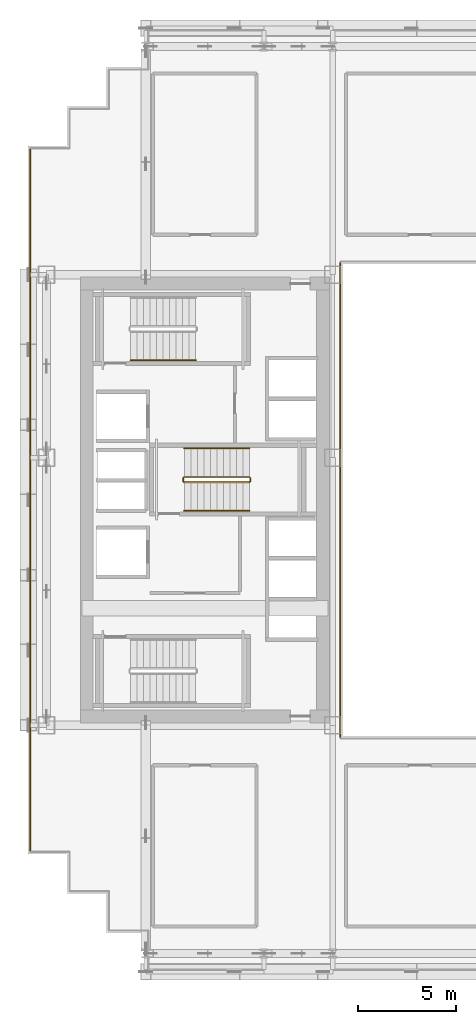
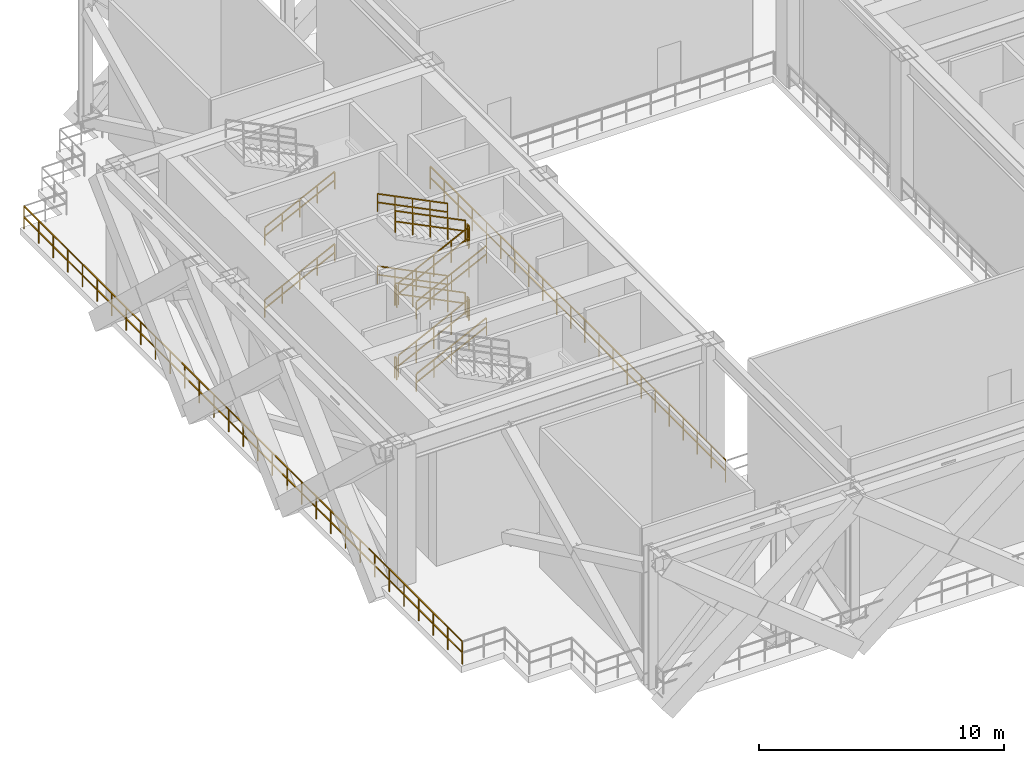
# One storey, part 11 of 14: 16 railings.
"""IFC4 building model written with IfcOpenShell, lengths in metres."""

from ifc_helpers import new_model, si_unit, direction, frame, origin, origin_2d, place, context, subcontext, project, spatial, rectangle, extrude, material, type_object, element, save


model = new_model("IFC4")

# Units and contexts
model_context = context("Model", 3, precision=1e-05, world=origin(), true_north=direction((0.0, 1.0)))
body_context = subcontext(model_context, "Body", "Model", "MODEL_VIEW")
ifc_project = project(units=[si_unit("LENGTHUNIT", "METRE"), si_unit("AREAUNIT", "SQUARE_METRE"), si_unit("VOLUMEUNIT", "CUBIC_METRE"), si_unit("PLANEANGLEUNIT", "RADIAN"), si_unit("MASSUNIT", "GRAM", prefix="KILO")], contexts=[model_context])

# Site, building, storey
site_placement = place(None, origin())
site = spatial("IfcSite", under=ifc_project, at=site_placement, CompositionType="ELEMENT")
building_placement = place(site_placement, origin())
building = spatial("IfcBuilding", under=site, at=building_placement, Name="Ocotamira Hotel", CompositionType="ELEMENT")
storey_placement = place(building_placement, frame((0.0, 0.0, 85.199951171875)))
storey = spatial("IfcBuildingStorey", under=building, at=storey_placement, Name="L21", CompositionType="ELEMENT", Elevation=85.199951171875)

# Railings
ifc_material_1 = material(Name="Painted steel stair guardrail", Category="steel")
railing_type_1 = type_object("IfcRailingType", Name="RL-EDGE-1150", PredefinedType="GUARDRAIL", material=ifc_material_1)
railing_1_placement = place(storey_placement, frame((23.8798828125, 38.0400390625, 0.0)))
element("IfcRailing", 1, at=railing_1_placement, inside=storey, type_object=railing_type_1, Name="L21 Central Atrium Edge Guardrail W", PredefinedType="GUARDRAIL", context=body_context, shape_type="SweptSolid", body=[
    extrude(rectangle(XDim=0.048095703125, YDim=0.048095703125, at=origin_2d()), frame((0.0, 0.0, 1.1259765625), z_axis=(0.0, -1.0, 0.0), x_axis=(1.0, 0.0, 0.0)), (0.0, 0.0, 1.0), 24.080078125),
    extrude(rectangle(XDim=0.048095703125, YDim=0.048095703125, at=origin_2d()), frame((0.0, 0.0, 0.574951171875), z_axis=(0.0, -1.0, 0.0), x_axis=(1.0, 0.0, 0.0)), (0.0, 0.0, 1.0), 24.080078125),
    extrude(rectangle(XDim=0.0419921875, YDim=0.0419921875, at=origin_2d()), origin(), (0.0, 0.0, 1.0), 1.101806640625),
    extrude(rectangle(XDim=0.0419921875, YDim=0.0419921875, at=origin_2d()), frame((0.0, -1.146728515625, 0.0)), (0.0, 0.0, 1.0), 1.101806640625),
    extrude(rectangle(XDim=0.0419921875, YDim=0.0419921875, at=origin_2d()), frame((0.0, -2.29345703125, 0.0)), (0.0, 0.0, 1.0), 1.101806640625),
    extrude(rectangle(XDim=0.0419921875, YDim=0.0419921875, at=origin_2d()), frame((0.0, -3.43994140625, 0.0)), (0.0, 0.0, 1.0), 1.101806640625),
    extrude(rectangle(XDim=0.0419921875, YDim=0.0419921875, at=origin_2d()), frame((0.0, -4.586669921875, 0.0)), (0.0, 0.0, 1.0), 1.101806640625),
    extrude(rectangle(XDim=0.0419921875, YDim=0.0419921875, at=origin_2d()), frame((0.0, -5.7333984375, 0.0)), (0.0, 0.0, 1.0), 1.101806640625),
    extrude(rectangle(XDim=0.0419921875, YDim=0.0419921875, at=origin_2d()), frame((0.0, -6.880126953125, 0.0)), (0.0, 0.0, 1.0), 1.101806640625),
    extrude(rectangle(XDim=0.0419921875, YDim=0.0419921875, at=origin_2d()), frame((0.0, -8.026611328125, 0.0)), (0.0, 0.0, 1.0), 1.101806640625),
    extrude(rectangle(XDim=0.0419921875, YDim=0.0419921875, at=origin_2d()), frame((0.0, -9.17333984375, 0.0)), (0.0, 0.0, 1.0), 1.101806640625),
    extrude(rectangle(XDim=0.0419921875, YDim=0.0419921875, at=origin_2d()), frame((0.0, -10.320068359375, 0.0)), (0.0, 0.0, 1.0), 1.101806640625),
    extrude(rectangle(XDim=0.0419921875, YDim=0.0419921875, at=origin_2d()), frame((0.0, -11.466796875, 0.0)), (0.0, 0.0, 1.0), 1.101806640625),
    extrude(rectangle(XDim=0.0419921875, YDim=0.0419921875, at=origin_2d()), frame((0.0, -12.61328125, 0.0)), (0.0, 0.0, 1.0), 1.101806640625),
    extrude(rectangle(XDim=0.0419921875, YDim=0.0419921875, at=origin_2d()), frame((0.0, -13.760009765625, 0.0)), (0.0, 0.0, 1.0), 1.101806640625),
    extrude(rectangle(XDim=0.0419921875, YDim=0.0419921875, at=origin_2d()), frame((0.0, -14.90673828125, 0.0)), (0.0, 0.0, 1.0), 1.101806640625),
    extrude(rectangle(XDim=0.0419921875, YDim=0.0419921875, at=origin_2d()), frame((0.0, -16.053466796875, 0.0)), (0.0, 0.0, 1.0), 1.101806640625),
    extrude(rectangle(XDim=0.0419921875, YDim=0.0419921875, at=origin_2d()), frame((0.0, -17.199951171875, 0.0)), (0.0, 0.0, 1.0), 1.101806640625),
    extrude(rectangle(XDim=0.0419921875, YDim=0.0419921875, at=origin_2d()), frame((0.0, -18.3466796875, 0.0)), (0.0, 0.0, 1.0), 1.101806640625),
    extrude(rectangle(XDim=0.0419921875, YDim=0.0419921875, at=origin_2d()), frame((0.0, -19.493408203125, 0.0)), (0.0, 0.0, 1.0), 1.101806640625),
    extrude(rectangle(XDim=0.0419921875, YDim=0.0419921875, at=origin_2d()), frame((0.0, -20.64013671875, 0.0)), (0.0, 0.0, 1.0), 1.101806640625),
    extrude(rectangle(XDim=0.0419921875, YDim=0.0419921875, at=origin_2d()), frame((0.0, -21.78662109375, 0.0)), (0.0, 0.0, 1.0), 1.101806640625),
    extrude(rectangle(XDim=0.0419921875, YDim=0.0419921875, at=origin_2d()), frame((0.0, -22.933349609375, 0.0)), (0.0, 0.0, 1.0), 1.101806640625),
    extrude(rectangle(XDim=0.0419921875, YDim=0.0419921875, at=origin_2d()), frame((0.0, -24.080078125, 0.0)), (0.0, 0.0, 1.0), 1.101806640625),
])
ifc_material_2 = material(Name="Brushed stainless steel handrail", Category="steel")
railing_type_2 = type_object("IfcRailingType", Name="RL-HAND-900", PredefinedType="HANDRAIL", material=ifc_material_2)
railing_2_placement = place(storey_placement, frame((13.22998046875, 33.10009765625, 0.327392578125)))
element("IfcRailing", 2, at=railing_2_placement, inside=storey, type_object=railing_type_2, Name="L21 ST-2 stair handrail 1", PredefinedType="HANDRAIL", context=body_context, shape_type="SweptSolid", body=[
    extrude(rectangle(XDim=0.048095703125, YDim=0.048095703125, at=origin_2d()), frame((0.0, 0.0, 0.8759765625), z_axis=(0.895920123917, 0.0, 0.444215186098), x_axis=(0.0, 1.0, 0.0)), (0.0, 0.0, 1.0), 3.683349609375),
    extrude(rectangle(XDim=0.048095703125, YDim=0.048095703125, at=origin_2d()), frame((0.0, 0.0, 0.449951171875), z_axis=(0.895920123917, 0.0, 0.444215186098), x_axis=(0.0, 1.0, 0.0)), (0.0, 0.0, 1.0), 3.683349609375),
    extrude(rectangle(XDim=0.0419921875, YDim=0.0419921875, at=origin_2d()), origin(), (0.0, 0.0, 1.0), 0.851806640625),
    extrude(rectangle(XDim=0.0419921875, YDim=0.0419921875, at=origin_2d()), frame((0.824951171875, 0.0, 0.4091796875)), (0.0, 0.0, 1.0), 0.851806640625),
    extrude(rectangle(XDim=0.0419921875, YDim=0.0419921875, at=origin_2d()), frame((1.64990234375, 0.0, 0.818115234375)), (0.0, 0.0, 1.0), 0.851806640625),
    extrude(rectangle(XDim=0.0419921875, YDim=0.0419921875, at=origin_2d()), frame((2.47509765625, 0.0, 1.22705078125)), (0.0, 0.0, 1.0), 0.851806640625),
    extrude(rectangle(XDim=0.0419921875, YDim=0.0419921875, at=origin_2d()), frame((3.300048828125, 0.0, 1.63623046875)), (0.0, 0.0, 1.0), 0.851806640625),
])
railing_3_placement = place(storey_placement, frame((13.22998046875, 33.10009765625, 3.92724609375)))
element("IfcRailing", 3, at=railing_3_placement, inside=storey, type_object=railing_type_2, Name="L21 ST-2 stair handrail 3", PredefinedType="HANDRAIL", context=body_context, shape_type="SweptSolid", body=[
    extrude(rectangle(XDim=0.048095703125, YDim=0.048095703125, at=origin_2d()), frame((0.0, 0.0, 0.8759765625), z_axis=(0.895893744519, 0.0, 0.4442683857), x_axis=(0.0, 1.0, 0.0)), (0.0, 0.0, 1.0), 3.68359375),
    extrude(rectangle(XDim=0.048095703125, YDim=0.048095703125, at=origin_2d()), frame((0.0, 0.0, 0.449951171875), z_axis=(0.895893744519, 0.0, 0.4442683857), x_axis=(0.0, 1.0, 0.0)), (0.0, 0.0, 1.0), 3.68359375),
    extrude(rectangle(XDim=0.0419921875, YDim=0.0419921875, at=origin_2d()), origin(), (0.0, 0.0, 1.0), 0.851806640625),
    extrude(rectangle(XDim=0.0419921875, YDim=0.0419921875, at=origin_2d()), frame((0.824951171875, 0.0, 0.4091796875)), (0.0, 0.0, 1.0), 0.851806640625),
    extrude(rectangle(XDim=0.0419921875, YDim=0.0419921875, at=origin_2d()), frame((1.64990234375, 0.0, 0.818359375)), (0.0, 0.0, 1.0), 0.851806640625),
    extrude(rectangle(XDim=0.0419921875, YDim=0.0419921875, at=origin_2d()), frame((2.47509765625, 0.0, 1.227294921875)), (0.0, 0.0, 1.0), 0.851806640625),
    extrude(rectangle(XDim=0.0419921875, YDim=0.0419921875, at=origin_2d()), frame((3.300048828125, 0.0, 1.636474609375)), (0.0, 0.0, 1.0), 0.851806640625),
])
railing_4_placement = place(storey_placement, frame((15.9599609375, 25.449951171875, 0.327392578125)))
element("IfcRailing", 4, at=railing_4_placement, inside=storey, type_object=railing_type_2, Name="L21 ST-3 stair handrail 1", PredefinedType="HANDRAIL", context=body_context, shape_type="SweptSolid", body=[
    extrude(rectangle(XDim=0.048095703125, YDim=0.048095703125, at=origin_2d()), frame((0.0, 0.0, 0.8759765625), z_axis=(0.895920123917, 0.0, 0.444215186098), x_axis=(0.0, 1.0, 0.0)), (0.0, 0.0, 1.0), 3.683349609375),
    extrude(rectangle(XDim=0.048095703125, YDim=0.048095703125, at=origin_2d()), frame((0.0, 0.0, 0.449951171875), z_axis=(0.895920123917, 0.0, 0.444215186098), x_axis=(0.0, 1.0, 0.0)), (0.0, 0.0, 1.0), 3.683349609375),
    extrude(rectangle(XDim=0.0419921875, YDim=0.0419921875, at=origin_2d()), origin(), (0.0, 0.0, 1.0), 0.851806640625),
    extrude(rectangle(XDim=0.0419921875, YDim=0.0419921875, at=origin_2d()), frame((0.824951171875, 0.0, 0.4091796875)), (0.0, 0.0, 1.0), 0.851806640625),
    extrude(rectangle(XDim=0.0419921875, YDim=0.0419921875, at=origin_2d()), frame((1.64990234375, 0.0, 0.818115234375)), (0.0, 0.0, 1.0), 0.851806640625),
    extrude(rectangle(XDim=0.0419921875, YDim=0.0419921875, at=origin_2d()), frame((2.47509765625, 0.0, 1.22705078125)), (0.0, 0.0, 1.0), 0.851806640625),
    extrude(rectangle(XDim=0.0419921875, YDim=0.0419921875, at=origin_2d()), frame((3.300048828125, 0.0, 1.63623046875)), (0.0, 0.0, 1.0), 0.851806640625),
])
railing_5_placement = place(storey_placement, frame((19.260009765625, 28.6298828125, 2.12744140625)))
element("IfcRailing", 5, at=railing_5_placement, inside=storey, type_object=railing_type_2, Name="L21 ST-3 stair handrail 2", PredefinedType="HANDRAIL", context=body_context, shape_type="SweptSolid", body=[
    extrude(rectangle(XDim=0.048095703125, YDim=0.048095703125, at=origin_2d()), frame((0.0, 0.0, 0.8759765625), z_axis=(-0.895920123917, 0.0, 0.444215186098), x_axis=(0.0, -1.0, 0.0)), (0.0, 0.0, 1.0), 3.683349609375),
    extrude(rectangle(XDim=0.048095703125, YDim=0.048095703125, at=origin_2d()), frame((0.0, 0.0, 0.449951171875), z_axis=(-0.895920123917, 0.0, 0.444215186098), x_axis=(0.0, -1.0, 0.0)), (0.0, 0.0, 1.0), 3.683349609375),
    extrude(rectangle(XDim=0.0419921875, YDim=0.0419921875, at=origin_2d()), origin(), (0.0, 0.0, 1.0), 0.851806640625),
    extrude(rectangle(XDim=0.0419921875, YDim=0.0419921875, at=origin_2d()), frame((-0.824951171875, 0.0, 0.4091796875)), (0.0, 0.0, 1.0), 0.851806640625),
    extrude(rectangle(XDim=0.0419921875, YDim=0.0419921875, at=origin_2d()), frame((-1.64990234375, 0.0, 0.818115234375)), (0.0, 0.0, 1.0), 0.851806640625),
    extrude(rectangle(XDim=0.0419921875, YDim=0.0419921875, at=origin_2d()), frame((-2.47509765625, 0.0, 1.22705078125)), (0.0, 0.0, 1.0), 0.851806640625),
    extrude(rectangle(XDim=0.0419921875, YDim=0.0419921875, at=origin_2d()), frame((-3.300048828125, 0.0, 1.63623046875)), (0.0, 0.0, 1.0), 0.851806640625),
])
railing_6_placement = place(storey_placement, frame((15.9599609375, 25.449951171875, 3.92724609375)))
element("IfcRailing", 6, at=railing_6_placement, inside=storey, type_object=railing_type_2, Name="L21 ST-3 stair handrail 3", PredefinedType="HANDRAIL", context=body_context, shape_type="SweptSolid", body=[
    extrude(rectangle(XDim=0.048095703125, YDim=0.048095703125, at=origin_2d()), frame((0.0, 0.0, 0.8759765625), z_axis=(0.895893744519, 0.0, 0.4442683857), x_axis=(0.0, 1.0, 0.0)), (0.0, 0.0, 1.0), 3.68359375),
    extrude(rectangle(XDim=0.048095703125, YDim=0.048095703125, at=origin_2d()), frame((0.0, 0.0, 0.449951171875), z_axis=(0.895893744519, 0.0, 0.4442683857), x_axis=(0.0, 1.0, 0.0)), (0.0, 0.0, 1.0), 3.68359375),
    extrude(rectangle(XDim=0.0419921875, YDim=0.0419921875, at=origin_2d()), origin(), (0.0, 0.0, 1.0), 0.851806640625),
    extrude(rectangle(XDim=0.0419921875, YDim=0.0419921875, at=origin_2d()), frame((0.824951171875, 0.0, 0.4091796875)), (0.0, 0.0, 1.0), 0.851806640625),
    extrude(rectangle(XDim=0.0419921875, YDim=0.0419921875, at=origin_2d()), frame((1.64990234375, 0.0, 0.818359375)), (0.0, 0.0, 1.0), 0.851806640625),
    extrude(rectangle(XDim=0.0419921875, YDim=0.0419921875, at=origin_2d()), frame((2.47509765625, 0.0, 1.227294921875)), (0.0, 0.0, 1.0), 0.851806640625),
    extrude(rectangle(XDim=0.0419921875, YDim=0.0419921875, at=origin_2d()), frame((3.300048828125, 0.0, 1.636474609375)), (0.0, 0.0, 1.0), 0.851806640625),
])
railing_7_placement = place(storey_placement, frame((19.260009765625, 28.6298828125, 5.727294921875)))
element("IfcRailing", 7, at=railing_7_placement, inside=storey, type_object=railing_type_2, Name="L21 ST-3 stair handrail 4", PredefinedType="HANDRAIL", context=body_context, shape_type="SweptSolid", body=[
    extrude(rectangle(XDim=0.048095703125, YDim=0.048095703125, at=origin_2d()), frame((0.0, 0.0, 0.8759765625), z_axis=(-0.895893744519, 0.0, 0.4442683857), x_axis=(0.0, -1.0, 0.0)), (0.0, 0.0, 1.0), 3.68359375),
    extrude(rectangle(XDim=0.048095703125, YDim=0.048095703125, at=origin_2d()), frame((0.0, 0.0, 0.449951171875), z_axis=(-0.895893744519, 0.0, 0.4442683857), x_axis=(0.0, -1.0, 0.0)), (0.0, 0.0, 1.0), 3.68359375),
    extrude(rectangle(XDim=0.0419921875, YDim=0.0419921875, at=origin_2d()), origin(), (0.0, 0.0, 1.0), 0.851806640625),
    extrude(rectangle(XDim=0.0419921875, YDim=0.0419921875, at=origin_2d()), frame((-0.824951171875, 0.0, 0.4091796875)), (0.0, 0.0, 1.0), 0.851806640625),
    extrude(rectangle(XDim=0.0419921875, YDim=0.0419921875, at=origin_2d()), frame((-1.64990234375, 0.0, 0.818359375)), (0.0, 0.0, 1.0), 0.851806640625),
    extrude(rectangle(XDim=0.0419921875, YDim=0.0419921875, at=origin_2d()), frame((-2.47509765625, 0.0, 1.227294921875)), (0.0, 0.0, 1.0), 0.851806640625),
    extrude(rectangle(XDim=0.0419921875, YDim=0.0419921875, at=origin_2d()), frame((-3.300048828125, 0.0, 1.636474609375)), (0.0, 0.0, 1.0), 0.851806640625),
])
ifc_material_3 = material(Name="Pale-metal stainless steel guardrail", Category="steel")
railing_type_3 = type_object("IfcRailingType", Name="RL-PERIM-1150", PredefinedType="GUARDRAIL", material=ifc_material_3)
railing_8_placement = place(storey_placement, frame((8.1201171875, 8.1201171875, 0.0)))
element("IfcRailing", 8, at=railing_8_placement, inside=storey, type_object=railing_type_3, Name="L21 Perimeter Guardrail WSLOT1-08", PredefinedType="GUARDRAIL", context=body_context, shape_type="SweptSolid", body=[
    extrude(rectangle(XDim=0.048095703125, YDim=0.048095703125, at=origin_2d()), frame((0.0, 0.0, 1.1259765625), z_axis=(0.0, 1.0, 0.0), x_axis=(-1.0, 0.0, 0.0)), (0.0, 0.0, 1.0), 35.759765625),
    extrude(rectangle(XDim=0.048095703125, YDim=0.048095703125, at=origin_2d()), frame((0.0, 0.0, 0.574951171875), z_axis=(0.0, 1.0, 0.0), x_axis=(-1.0, 0.0, 0.0)), (0.0, 0.0, 1.0), 35.759765625),
    extrude(rectangle(XDim=0.0419921875, YDim=0.0419921875, at=origin_2d()), origin(), (0.0, 0.0, 1.0), 1.101806640625),
    extrude(rectangle(XDim=0.0419921875, YDim=0.0419921875, at=origin_2d()), frame((0.0, 1.19189453125, 0.0)), (0.0, 0.0, 1.0), 1.101806640625),
    extrude(rectangle(XDim=0.0419921875, YDim=0.0419921875, at=origin_2d()), frame((0.0, 2.384033203125, 0.0)), (0.0, 0.0, 1.0), 1.101806640625),
    extrude(rectangle(XDim=0.0419921875, YDim=0.0419921875, at=origin_2d()), frame((0.0, 3.575927734375, 0.0)), (0.0, 0.0, 1.0), 1.101806640625),
    extrude(rectangle(XDim=0.0419921875, YDim=0.0419921875, at=origin_2d()), frame((0.0, 4.76806640625, 0.0)), (0.0, 0.0, 1.0), 1.101806640625),
    extrude(rectangle(XDim=0.0419921875, YDim=0.0419921875, at=origin_2d()), frame((0.0, 5.9599609375, 0.0)), (0.0, 0.0, 1.0), 1.101806640625),
    extrude(rectangle(XDim=0.0419921875, YDim=0.0419921875, at=origin_2d()), frame((0.0, 7.15185546875, 0.0)), (0.0, 0.0, 1.0), 1.101806640625),
    extrude(rectangle(XDim=0.0419921875, YDim=0.0419921875, at=origin_2d()), frame((0.0, 8.343994140625, 0.0)), (0.0, 0.0, 1.0), 1.101806640625),
    extrude(rectangle(XDim=0.0419921875, YDim=0.0419921875, at=origin_2d()), frame((0.0, 9.535888671875, 0.0)), (0.0, 0.0, 1.0), 1.101806640625),
    extrude(rectangle(XDim=0.0419921875, YDim=0.0419921875, at=origin_2d()), frame((0.0, 10.72802734375, 0.0)), (0.0, 0.0, 1.0), 1.101806640625),
    extrude(rectangle(XDim=0.0419921875, YDim=0.0419921875, at=origin_2d()), frame((0.0, 11.919921875, 0.0)), (0.0, 0.0, 1.0), 1.101806640625),
    extrude(rectangle(XDim=0.0419921875, YDim=0.0419921875, at=origin_2d()), frame((0.0, 13.11181640625, 0.0)), (0.0, 0.0, 1.0), 1.101806640625),
    extrude(rectangle(XDim=0.0419921875, YDim=0.0419921875, at=origin_2d()), frame((0.0, 14.303955078125, 0.0)), (0.0, 0.0, 1.0), 1.101806640625),
    extrude(rectangle(XDim=0.0419921875, YDim=0.0419921875, at=origin_2d()), frame((0.0, 15.495849609375, 0.0)), (0.0, 0.0, 1.0), 1.101806640625),
    extrude(rectangle(XDim=0.0419921875, YDim=0.0419921875, at=origin_2d()), frame((0.0, 16.68798828125, 0.0)), (0.0, 0.0, 1.0), 1.101806640625),
    extrude(rectangle(XDim=0.0419921875, YDim=0.0419921875, at=origin_2d()), frame((0.0, 17.8798828125, 0.0)), (0.0, 0.0, 1.0), 1.101806640625),
    extrude(rectangle(XDim=0.0419921875, YDim=0.0419921875, at=origin_2d()), frame((0.0, 19.07177734375, 0.0)), (0.0, 0.0, 1.0), 1.101806640625),
    extrude(rectangle(XDim=0.0419921875, YDim=0.0419921875, at=origin_2d()), frame((0.0, 20.263916015625, 0.0)), (0.0, 0.0, 1.0), 1.101806640625),
    extrude(rectangle(XDim=0.0419921875, YDim=0.0419921875, at=origin_2d()), frame((0.0, 21.455810546875, 0.0)), (0.0, 0.0, 1.0), 1.101806640625),
    extrude(rectangle(XDim=0.0419921875, YDim=0.0419921875, at=origin_2d()), frame((0.0, 22.64794921875, 0.0)), (0.0, 0.0, 1.0), 1.101806640625),
    extrude(rectangle(XDim=0.0419921875, YDim=0.0419921875, at=origin_2d()), frame((0.0, 23.83984375, 0.0)), (0.0, 0.0, 1.0), 1.101806640625),
    extrude(rectangle(XDim=0.0419921875, YDim=0.0419921875, at=origin_2d()), frame((0.0, 25.03173828125, 0.0)), (0.0, 0.0, 1.0), 1.101806640625),
    extrude(rectangle(XDim=0.0419921875, YDim=0.0419921875, at=origin_2d()), frame((0.0, 26.223876953125, 0.0)), (0.0, 0.0, 1.0), 1.101806640625),
    extrude(rectangle(XDim=0.0419921875, YDim=0.0419921875, at=origin_2d()), frame((0.0, 27.415771484375, 0.0)), (0.0, 0.0, 1.0), 1.101806640625),
    extrude(rectangle(XDim=0.0419921875, YDim=0.0419921875, at=origin_2d()), frame((0.0, 28.60791015625, 0.0)), (0.0, 0.0, 1.0), 1.101806640625),
    extrude(rectangle(XDim=0.0419921875, YDim=0.0419921875, at=origin_2d()), frame((0.0, 29.7998046875, 0.0)), (0.0, 0.0, 1.0), 1.101806640625),
    extrude(rectangle(XDim=0.0419921875, YDim=0.0419921875, at=origin_2d()), frame((0.0, 30.99169921875, 0.0)), (0.0, 0.0, 1.0), 1.101806640625),
    extrude(rectangle(XDim=0.0419921875, YDim=0.0419921875, at=origin_2d()), frame((0.0, 32.183837890625, 0.0)), (0.0, 0.0, 1.0), 1.101806640625),
    extrude(rectangle(XDim=0.0419921875, YDim=0.0419921875, at=origin_2d()), frame((0.0, 33.375732421875, 0.0)), (0.0, 0.0, 1.0), 1.101806640625),
    extrude(rectangle(XDim=0.0419921875, YDim=0.0419921875, at=origin_2d()), frame((0.0, 34.56787109375, 0.0)), (0.0, 0.0, 1.0), 1.101806640625),
    extrude(rectangle(XDim=0.0419921875, YDim=0.0419921875, at=origin_2d()), frame((0.0, 35.759765625, 0.0)), (0.0, 0.0, 1.0), 1.101806640625),
])
railing_type_4 = type_object("IfcRailingType", Name="RL-STAIR-1100", PredefinedType="GUARDRAIL", material=ifc_material_1)
railing_9_placement = place(storey_placement, frame((15.9599609375, 26.909912109375, 0.16357421875)))
element("IfcRailing", 9, at=railing_9_placement, inside=storey, type_object=railing_type_4, Name="L21 ST-3 stair guard 1", PredefinedType="GUARDRAIL", context=body_context, shape_type="SweptSolid", body=[
    extrude(rectangle(XDim=0.048095703125, YDim=0.048095703125, at=origin_2d()), frame((0.0, 0.0, 1.076171875), z_axis=(0.895893744519, 0.0, 0.4442683857), x_axis=(0.0, 1.0, 0.0)), (0.0, 0.0, 1.0), 3.68359375),
    extrude(rectangle(XDim=0.048095703125, YDim=0.048095703125, at=origin_2d()), frame((0.0, 0.0, 0.550048828125), z_axis=(0.895893744519, 0.0, 0.4442683857), x_axis=(0.0, 1.0, 0.0)), (0.0, 0.0, 1.0), 3.68359375),
    extrude(rectangle(XDim=0.0419921875, YDim=0.0419921875, at=origin_2d()), origin(), (0.0, 0.0, 1.0), 1.052001953125),
    extrude(rectangle(XDim=0.0419921875, YDim=0.0419921875, at=origin_2d()), frame((0.824951171875, 0.0, 0.4091796875)), (0.0, 0.0, 1.0), 1.052001953125),
    extrude(rectangle(XDim=0.0419921875, YDim=0.0419921875, at=origin_2d()), frame((1.64990234375, 0.0, 0.818359375)), (0.0, 0.0, 1.0), 1.052001953125),
    extrude(rectangle(XDim=0.0419921875, YDim=0.0419921875, at=origin_2d()), frame((2.47509765625, 0.0, 1.227294921875)), (0.0, 0.0, 1.0), 1.052001953125),
    extrude(rectangle(XDim=0.0419921875, YDim=0.0419921875, at=origin_2d()), frame((3.300048828125, 0.0, 1.636474609375)), (0.0, 0.0, 1.0), 1.052001953125),
])
railing_10_placement = place(storey_placement, frame((19.31005859375, 26.9599609375, 1.800048828125)))
element("IfcRailing", 10, at=railing_10_placement, inside=storey, type_object=railing_type_4, Name="L21 ST-3 stair guard 2", PredefinedType="GUARDRAIL", context=body_context, shape_type="SweptSolid", body=[
    extrude(rectangle(XDim=0.048095703125, YDim=0.048095703125, at=origin_2d()), frame((0.0, 0.0, 1.076171875), z_axis=(0.0, 1.0, 0.0), x_axis=(-1.0, 0.0, 0.0)), (0.0, 0.0, 1.0), 0.16015625),
    extrude(rectangle(XDim=0.048095703125, YDim=0.048095703125, at=origin_2d()), frame((0.0, 0.0, 0.550048828125), z_axis=(0.0, 1.0, 0.0), x_axis=(-1.0, 0.0, 0.0)), (0.0, 0.0, 1.0), 0.16015625),
    extrude(rectangle(XDim=0.0419921875, YDim=0.0419921875, at=origin_2d()), origin(), (0.0, 0.0, 1.0), 1.052001953125),
    extrude(rectangle(XDim=0.0419921875, YDim=0.0419921875, at=origin_2d()), frame((0.0, 0.16015625, 0.0)), (0.0, 0.0, 1.0), 1.052001953125),
])
railing_11_placement = place(storey_placement, frame((19.260009765625, 27.169921875, 1.963623046875)))
element("IfcRailing", 11, at=railing_11_placement, inside=storey, type_object=railing_type_4, Name="L21 ST-3 stair guard 3", PredefinedType="GUARDRAIL", context=body_context, shape_type="SweptSolid", body=[
    extrude(rectangle(XDim=0.048095703125, YDim=0.048095703125, at=origin_2d()), frame((0.0, 0.0, 1.076171875), z_axis=(-0.895893744519, 0.0, 0.4442683857), x_axis=(0.0, -1.0, 0.0)), (0.0, 0.0, 1.0), 3.68359375),
    extrude(rectangle(XDim=0.048095703125, YDim=0.048095703125, at=origin_2d()), frame((0.0, 0.0, 0.550048828125), z_axis=(-0.895893744519, 0.0, 0.4442683857), x_axis=(0.0, -1.0, 0.0)), (0.0, 0.0, 1.0), 3.68359375),
    extrude(rectangle(XDim=0.0419921875, YDim=0.0419921875, at=origin_2d()), origin(), (0.0, 0.0, 1.0), 1.052001953125),
    extrude(rectangle(XDim=0.0419921875, YDim=0.0419921875, at=origin_2d()), frame((-0.824951171875, 0.0, 0.4091796875)), (0.0, 0.0, 1.0), 1.052001953125),
    extrude(rectangle(XDim=0.0419921875, YDim=0.0419921875, at=origin_2d()), frame((-1.64990234375, 0.0, 0.818359375)), (0.0, 0.0, 1.0), 1.052001953125),
    extrude(rectangle(XDim=0.0419921875, YDim=0.0419921875, at=origin_2d()), frame((-2.47509765625, 0.0, 1.227294921875)), (0.0, 0.0, 1.0), 1.052001953125),
    extrude(rectangle(XDim=0.0419921875, YDim=0.0419921875, at=origin_2d()), frame((-3.300048828125, 0.0, 1.636474609375)), (0.0, 0.0, 1.0), 1.052001953125),
])
railing_12_placement = place(storey_placement, frame((15.909912109375, 26.9599609375, 3.60009765625)))
element("IfcRailing", 12, at=railing_12_placement, inside=storey, type_object=railing_type_4, Name="L21 ST-3 stair guard 4", PredefinedType="GUARDRAIL", context=body_context, shape_type="SweptSolid", body=[
    extrude(rectangle(XDim=0.048095703125, YDim=0.048095703125, at=origin_2d()), frame((0.0, 0.0, 1.076171875), z_axis=(0.0, 1.0, 0.0), x_axis=(-1.0, 0.0, 0.0)), (0.0, 0.0, 1.0), 0.16015625),
    extrude(rectangle(XDim=0.048095703125, YDim=0.048095703125, at=origin_2d()), frame((0.0, 0.0, 0.550048828125), z_axis=(0.0, 1.0, 0.0), x_axis=(-1.0, 0.0, 0.0)), (0.0, 0.0, 1.0), 0.16015625),
    extrude(rectangle(XDim=0.0419921875, YDim=0.0419921875, at=origin_2d()), origin(), (0.0, 0.0, 1.0), 1.052001953125),
    extrude(rectangle(XDim=0.0419921875, YDim=0.0419921875, at=origin_2d()), frame((0.0, 0.16015625, 0.0)), (0.0, 0.0, 1.0), 1.052001953125),
])
railing_13_placement = place(storey_placement, frame((15.9599609375, 26.909912109375, 3.763671875)))
element("IfcRailing", 13, at=railing_13_placement, inside=storey, type_object=railing_type_4, Name="L21 ST-3 stair guard 5", PredefinedType="GUARDRAIL", context=body_context, shape_type="SweptSolid", body=[
    extrude(rectangle(XDim=0.048095703125, YDim=0.048095703125, at=origin_2d()), frame((0.0, 0.0, 1.076171875), z_axis=(0.895893744519, 0.0, 0.4442683857), x_axis=(0.0, 1.0, 0.0)), (0.0, 0.0, 1.0), 3.68359375),
    extrude(rectangle(XDim=0.048095703125, YDim=0.048095703125, at=origin_2d()), frame((0.0, 0.0, 0.550048828125), z_axis=(0.895893744519, 0.0, 0.4442683857), x_axis=(0.0, 1.0, 0.0)), (0.0, 0.0, 1.0), 3.68359375),
    extrude(rectangle(XDim=0.0419921875, YDim=0.0419921875, at=origin_2d()), origin(), (0.0, 0.0, 1.0), 1.052001953125),
    extrude(rectangle(XDim=0.0419921875, YDim=0.0419921875, at=origin_2d()), frame((0.824951171875, 0.0, 0.4091796875)), (0.0, 0.0, 1.0), 1.052001953125),
    extrude(rectangle(XDim=0.0419921875, YDim=0.0419921875, at=origin_2d()), frame((1.64990234375, 0.0, 0.818359375)), (0.0, 0.0, 1.0), 1.052001953125),
    extrude(rectangle(XDim=0.0419921875, YDim=0.0419921875, at=origin_2d()), frame((2.47509765625, 0.0, 1.227294921875)), (0.0, 0.0, 1.0), 1.052001953125),
    extrude(rectangle(XDim=0.0419921875, YDim=0.0419921875, at=origin_2d()), frame((3.300048828125, 0.0, 1.636474609375)), (0.0, 0.0, 1.0), 1.052001953125),
])
railing_14_placement = place(storey_placement, frame((19.31005859375, 26.9599609375, 5.400146484375)))
element("IfcRailing", 14, at=railing_14_placement, inside=storey, type_object=railing_type_4, Name="L21 ST-3 stair guard 6", PredefinedType="GUARDRAIL", context=body_context, shape_type="SweptSolid", body=[
    extrude(rectangle(XDim=0.048095703125, YDim=0.048095703125, at=origin_2d()), frame((0.0, 0.0, 1.076171875), z_axis=(0.0, 1.0, 0.0), x_axis=(-1.0, 0.0, 0.0)), (0.0, 0.0, 1.0), 0.16015625),
    extrude(rectangle(XDim=0.048095703125, YDim=0.048095703125, at=origin_2d()), frame((0.0, 0.0, 0.550048828125), z_axis=(0.0, 1.0, 0.0), x_axis=(-1.0, 0.0, 0.0)), (0.0, 0.0, 1.0), 0.16015625),
    extrude(rectangle(XDim=0.0419921875, YDim=0.0419921875, at=origin_2d()), origin(), (0.0, 0.0, 1.0), 1.052001953125),
    extrude(rectangle(XDim=0.0419921875, YDim=0.0419921875, at=origin_2d()), frame((0.0, 0.16015625, 0.0)), (0.0, 0.0, 1.0), 1.052001953125),
])
railing_15_placement = place(storey_placement, frame((19.260009765625, 27.169921875, 5.563720703125)))
element("IfcRailing", 15, at=railing_15_placement, inside=storey, type_object=railing_type_4, Name="L21 ST-3 stair guard 7", PredefinedType="GUARDRAIL", context=body_context, shape_type="SweptSolid", body=[
    extrude(rectangle(XDim=0.048095703125, YDim=0.048095703125, at=origin_2d()), frame((0.0, 0.0, 1.076171875), z_axis=(-0.895920123917, 0.0, 0.444215186098), x_axis=(0.0, -1.0, 0.0)), (0.0, 0.0, 1.0), 3.683349609375),
    extrude(rectangle(XDim=0.048095703125, YDim=0.048095703125, at=origin_2d()), frame((0.0, 0.0, 0.550048828125), z_axis=(-0.895920123917, 0.0, 0.444215186098), x_axis=(0.0, -1.0, 0.0)), (0.0, 0.0, 1.0), 3.683349609375),
    extrude(rectangle(XDim=0.0419921875, YDim=0.0419921875, at=origin_2d()), origin(), (0.0, 0.0, 1.0), 1.052001953125),
    extrude(rectangle(XDim=0.0419921875, YDim=0.0419921875, at=origin_2d()), frame((-0.824951171875, 0.0, 0.4091796875)), (0.0, 0.0, 1.0), 1.052001953125),
    extrude(rectangle(XDim=0.0419921875, YDim=0.0419921875, at=origin_2d()), frame((-1.64990234375, 0.0, 0.818115234375)), (0.0, 0.0, 1.0), 1.052001953125),
    extrude(rectangle(XDim=0.0419921875, YDim=0.0419921875, at=origin_2d()), frame((-2.47509765625, 0.0, 1.22705078125)), (0.0, 0.0, 1.0), 1.052001953125),
    extrude(rectangle(XDim=0.0419921875, YDim=0.0419921875, at=origin_2d()), frame((-3.300048828125, 0.0, 1.63623046875)), (0.0, 0.0, 1.0), 1.052001953125),
])
railing_16_placement = place(storey_placement, frame((15.909912109375, 26.9599609375, 0.0)))
element("IfcRailing", 16, at=railing_16_placement, inside=storey, type_object=railing_type_4, Name="L21 ST-3 stair guard 8", PredefinedType="GUARDRAIL", context=body_context, shape_type="SweptSolid", body=[
    extrude(rectangle(XDim=0.048095703125, YDim=0.048095703125, at=origin_2d()), frame((0.0, 0.0, 1.076171875), z_axis=(0.0, 1.0, 0.0), x_axis=(-1.0, 0.0, 0.0)), (0.0, 0.0, 1.0), 0.16015625),
    extrude(rectangle(XDim=0.048095703125, YDim=0.048095703125, at=origin_2d()), frame((0.0, 0.0, 0.550048828125), z_axis=(0.0, 1.0, 0.0), x_axis=(-1.0, 0.0, 0.0)), (0.0, 0.0, 1.0), 0.16015625),
    extrude(rectangle(XDim=0.0419921875, YDim=0.0419921875, at=origin_2d()), origin(), (0.0, 0.0, 1.0), 1.052001953125),
    extrude(rectangle(XDim=0.0419921875, YDim=0.0419921875, at=origin_2d()), frame((0.0, 0.16015625, 0.0)), (0.0, 0.0, 1.0), 1.052001953125),
])

save(model, "model.ifc")
